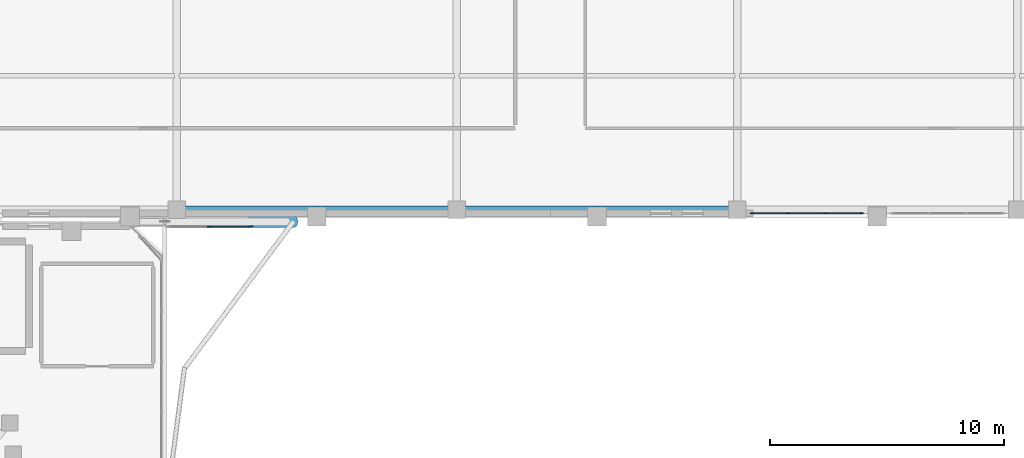
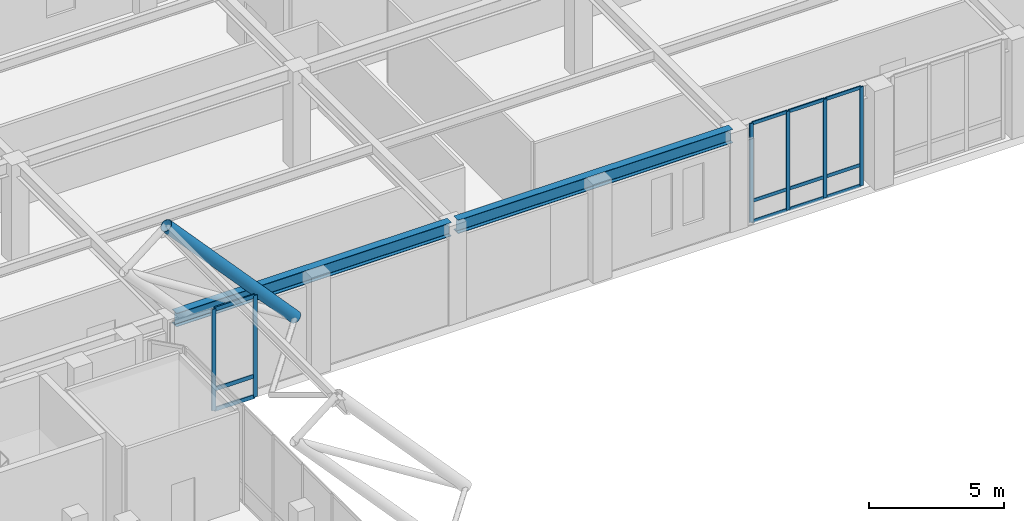
# One storey, part 33 of 79: 19 members, 2 beams, 2 elements without a shape of their own.
"""IFC4 building model written with IfcOpenShell, lengths in metres."""

from ifc_helpers import new_model, si_unit, derived_unit, direction, frame, origin, origin_2d, place, context, subcontext, project, spatial, rectangle, hollow_circle, i_section, extrude, material, layer, layer_set, material_profile, profile_set, type_object, element, aggregate, save


model = new_model("IFC4")

# Units and contexts
model_context = context("Model", 3, precision=1e-05, world=origin(), true_north=direction((0.0, 1.0)))
body_context = subcontext(model_context, "Body", "Model", "MODEL_VIEW")
ifc_project = project(units=[si_unit("LENGTHUNIT", "METRE"), si_unit("AREAUNIT", "SQUARE_METRE"), si_unit("VOLUMEUNIT", "CUBIC_METRE"), si_unit("PLANEANGLEUNIT", "RADIAN"), si_unit("MASSUNIT", "GRAM", prefix="KILO"), derived_unit("THERMALTRANSMITTANCEUNIT", [(si_unit("MASSUNIT", "GRAM", prefix="KILO"), 1), (si_unit("TIMEUNIT", "SECOND"), -3), (si_unit("THERMODYNAMICTEMPERATUREUNIT", "KELVIN"), -1)])], contexts=[model_context])

# Site, building, storey
site_placement = place(None, origin())
site = spatial("IfcSite", under=ifc_project, at=site_placement, CompositionType="ELEMENT")
building_placement = place(site_placement, origin())
building = spatial("IfcBuilding", under=site, at=building_placement, Name="Valcora Ridge Arena", CompositionType="ELEMENT")
storey_placement = place(building_placement, frame((0.0, 0.0, 16.199951171875)))
storey = spatial("IfcBuildingStorey", under=building, at=storey_placement, Name="L03", CompositionType="ELEMENT", Elevation=16.199951171875)

# Beams
ifc_material_1 = material(Name="Steel ASTM A572 Grade 50", Category="steel")
ifc_material_profile_1 = material_profile(ifc_material_1, i_section(OverallWidth=0.324951171875, OverallDepth=0.612060546875, WebThickness=0.0126953125, FlangeThickness=0.01904296875, FilletRadius=0.01806640625, at=origin_2d()), Name="W24X104")
ifc_profile_set_1 = profile_set([ifc_material_profile_1], Name="Steel ASTM A572 Grade 50")
beam_type = type_object("IfcBeamType", Name="TY-BEAM-G-W24X104-X", PredefinedType="BEAM", material=ifc_profile_set_1)
for number, where, z_axis, x_axis, name in (
    (1, (96.139892578125, 108.699951171875, 4.154052734375), (1.0, 0.0, 0.0), (0.0, 1.0, 0.0), "G-W24X104-X BEM-G-W24X104-X-0103"),
    (2, (108.139892578125, 108.699951171875, 4.154052734375), (1.0, 0.0, 0.0), (0.0, 1.0, 0.0), "G-W24X104-X BEM-G-W24X104-X-0104"),
):
    element("IfcBeam", number, at=place(storey_placement, frame(where, z_axis=z_axis, x_axis=x_axis)), inside=storey, type_object=beam_type, Name=name, PredefinedType="BEAM", context=body_context, shape_type="SweptSolid", body=[
        extrude(i_section(OverallWidth=0.324951171875, OverallDepth=0.612060546875, WebThickness=0.0126953125, FlangeThickness=0.01904296875, FilletRadius=0.01806640625, at=origin_2d()), origin(), (0.0, 0.0, 1.0), 11.72021484375),
    ])

# Curtain wall, members
ifc_material_2 = material(Name="Anodised dark bronze architectural aluminium 6063-T6", Category="aluminium")
ifc_layer_1 = layer(ifc_material_2, 0.14990234375, Name="Anodised dark bronze architectural aluminium 6063-T6")
ifc_layer_set_1 = layer_set([ifc_layer_1], Name="Anodised dark bronze architectural aluminium 6063-T6")
curtain_wall_type_1 = type_object("IfcCurtainWallType", Name="TY-CURTAINWALL-CW-V5-MED-047X45", PredefinedType="NOTDEFINED", material=ifc_layer_set_1)
curtain_wall_1_placement = place(storey_placement, origin())
curtain_wall_1 = element("IfcCurtainWall", 3, at=curtain_wall_1_placement, inside=storey, type_object=curtain_wall_type_1, Name="CW-V5-MED-047X45 CW-0336", PredefinedType="NOTDEFINED")
ifc_material_profile_2 = material_profile(ifc_material_2, rectangle(XDim=0.050048828125, YDim=0.14990234375, at=origin_2d()), Name="ALU MULLION 50x150")
ifc_profile_set_2 = profile_set([ifc_material_profile_2], Name="Anodised dark bronze architectural aluminium 6063-T6")
member_type_1 = type_object("IfcMemberType", Name="TY-MEM-CWM-50x150", PredefinedType="MULLION", material=ifc_profile_set_2)
member_1_placement = place(storey_placement, frame((120.639892578125, 108.550048828125, 0.0), z_axis=(0.0, 0.0, 1.0), x_axis=(0.0, 1.0, 0.0)))
member_1 = element("IfcMember", 4, at=member_1_placement, type_object=member_type_1, Name="CW-0336/CWM-50x150/M00", PredefinedType="MULLION", context=body_context, shape_type="SweptSolid", body=[
    extrude(rectangle(XDim=0.050048828125, YDim=0.14990234375, at=origin_2d()), origin(), (0.0, 0.0, 1.0), 4.4599609375),
])
member_2_placement = place(storey_placement, frame((122.19677734375, 108.550048828125, 0.0), z_axis=(0.0, 0.0, 1.0), x_axis=(0.0, 1.0, 0.0)))
member_2 = element("IfcMember", 5, at=member_2_placement, type_object=member_type_1, Name="CW-0336/CWM-50x150/M01", PredefinedType="MULLION", context=body_context, shape_type="SweptSolid", body=[
    extrude(rectangle(XDim=0.050048828125, YDim=0.14990234375, at=origin_2d()), origin(), (0.0, 0.0, 1.0), 4.4599609375),
])
member_3_placement = place(storey_placement, frame((123.7783203125, 108.550048828125, 0.0), z_axis=(0.0, 0.0, 1.0), x_axis=(0.0, 1.0, 0.0)))
member_3 = element("IfcMember", 6, at=member_3_placement, type_object=member_type_1, Name="CW-0336/CWM-50x150/M02", PredefinedType="MULLION", context=body_context, shape_type="SweptSolid", body=[
    extrude(rectangle(XDim=0.050048828125, YDim=0.14990234375, at=origin_2d()), origin(), (0.0, 0.0, 1.0), 4.4599609375),
])
member_4_placement = place(storey_placement, frame((125.3349609375, 108.550048828125, 0.0), z_axis=(0.0, 0.0, 1.0), x_axis=(0.0, 1.0, 0.0)))
member_4 = element("IfcMember", 7, at=member_4_placement, type_object=member_type_1, Name="CW-0336/CWM-50x150/M03", PredefinedType="MULLION", context=body_context, shape_type="SweptSolid", body=[
    extrude(rectangle(XDim=0.050048828125, YDim=0.14990234375, at=origin_2d()), origin(), (0.0, 0.0, 1.0), 4.4599609375),
])

ifc_layer_2 = layer(ifc_material_2, 0.179931640625, Name="Anodised dark bronze architectural aluminium 6063-T6")
ifc_layer_set_2 = layer_set([ifc_layer_2], Name="Anodised dark bronze architectural aluminium 6063-T6")
curtain_wall_type_2 = type_object("IfcCurtainWallType", Name="TY-CURTAINWALL-CW-V1-TYMPN-036X46", PredefinedType="NOTDEFINED", material=ifc_layer_set_2)
curtain_wall_2_placement = place(storey_placement, origin())
curtain_wall_2 = element("IfcCurtainWall", 8, at=curtain_wall_2_placement, inside=storey, type_object=curtain_wall_type_2, Name="CW-V1-TYMPN-036X46 CW-0183", PredefinedType="NOTDEFINED")
ifc_material_profile_3 = material_profile(ifc_material_2, rectangle(XDim=0.06005859375, YDim=0.179931640625, at=origin_2d()), Name="ALU MULLION 60x180")
ifc_profile_set_3 = profile_set([ifc_material_profile_3], Name="Anodised dark bronze architectural aluminium 6063-T6")
member_type_2 = type_object("IfcMemberType", Name="TY-MEM-CWM-60x180", PredefinedType="MULLION", material=ifc_profile_set_3)
member_5_placement = place(storey_placement, frame((97.39990234375, 107.97998046875, 0.0), z_axis=(0.0, 0.0, 1.0), x_axis=(0.0, 1.0, 0.0)))
member_5 = element("IfcMember", 9, at=member_5_placement, type_object=member_type_2, Name="CW-0183/CWM-60x180/M01", PredefinedType="MULLION", context=body_context, shape_type="SweptSolid", body=[
    extrude(rectangle(XDim=0.06005859375, YDim=0.179931640625, at=origin_2d()), origin(), (0.0, 0.0, 1.0), 4.579345703125),
])
member_6_placement = place(storey_placement, frame((99.169921875, 107.97998046875, 0.0), z_axis=(0.0, 0.0, 1.0), x_axis=(0.0, 1.0, 0.0)))
member_6 = element("IfcMember", 10, at=member_6_placement, type_object=member_type_2, Name="CW-0183/CWM-60x180/M02", PredefinedType="MULLION", context=body_context, shape_type="SweptSolid", body=[
    extrude(rectangle(XDim=0.06005859375, YDim=0.179931640625, at=origin_2d()), origin(), (0.0, 0.0, 1.0), 4.579345703125),
])

# Member
ifc_material_profile_4 = material_profile(ifc_material_2, rectangle(XDim=0.050048828125, YDim=0.14990234375, at=origin_2d()), Name="ALU TRANSOM 50x150")
ifc_profile_set_4 = profile_set([ifc_material_profile_4], Name="Anodised dark bronze architectural aluminium 6063-T6")
member_type_3 = type_object("IfcMemberType", Name="TY-MEM-CWT-50x150", PredefinedType="USERDEFINED", material=ifc_profile_set_4)
member_7_placement = place(storey_placement, frame((120.6650390625, 108.550048828125, 0.025146484375), z_axis=(1.0, 0.0, 0.0), x_axis=(0.0, 1.0, 0.0)))
member_7 = element("IfcMember", 11, at=member_7_placement, type_object=member_type_3, Name="CW-0336/CWT-50x150/T00-00", ObjectType="TRANSOM", PredefinedType="USERDEFINED", context=body_context, shape_type="SweptSolid", body=[
    extrude(rectangle(XDim=0.050048828125, YDim=0.14990234375, at=origin_2d()), origin(), (0.0, 0.0, 1.0), 1.507080078125),
])

member_8_placement = place(storey_placement, frame((120.6650390625, 108.550048828125, 0.949951171875), z_axis=(1.0, 0.0, 0.0), x_axis=(0.0, 1.0, 0.0)))
member_8 = element("IfcMember", 12, at=member_8_placement, type_object=member_type_3, Name="CW-0336/CWT-50x150/T00-01", ObjectType="TRANSOM", PredefinedType="USERDEFINED", context=body_context, shape_type="SweptSolid", body=[
    extrude(rectangle(XDim=0.050048828125, YDim=0.14990234375, at=origin_2d()), origin(), (0.0, 0.0, 1.0), 1.507080078125),
])

member_9_placement = place(storey_placement, frame((120.6650390625, 108.550048828125, 4.43505859375), z_axis=(1.0, 0.0, 0.0), x_axis=(0.0, 1.0, 0.0)))
member_9 = element("IfcMember", 13, at=member_9_placement, type_object=member_type_3, Name="CW-0336/CWT-50x150/T00-02", ObjectType="TRANSOM", PredefinedType="USERDEFINED", context=body_context, shape_type="SweptSolid", body=[
    extrude(rectangle(XDim=0.050048828125, YDim=0.14990234375, at=origin_2d()), origin(), (0.0, 0.0, 1.0), 1.507080078125),
])

member_10_placement = place(storey_placement, frame((122.221923828125, 108.550048828125, 0.025146484375), z_axis=(1.0, 0.0, 0.0), x_axis=(0.0, 1.0, 0.0)))
member_10 = element("IfcMember", 14, at=member_10_placement, type_object=member_type_3, Name="CW-0336/CWT-50x150/T01-00", ObjectType="TRANSOM", PredefinedType="USERDEFINED", context=body_context, shape_type="SweptSolid", body=[
    extrude(rectangle(XDim=0.050048828125, YDim=0.14990234375, at=origin_2d()), origin(), (0.0, 0.0, 1.0), 1.531005859375),
])

member_11_placement = place(storey_placement, frame((122.221923828125, 108.550048828125, 0.949951171875), z_axis=(1.0, 0.0, 0.0), x_axis=(0.0, 1.0, 0.0)))
member_11 = element("IfcMember", 15, at=member_11_placement, type_object=member_type_3, Name="CW-0336/CWT-50x150/T01-01", ObjectType="TRANSOM", PredefinedType="USERDEFINED", context=body_context, shape_type="SweptSolid", body=[
    extrude(rectangle(XDim=0.050048828125, YDim=0.14990234375, at=origin_2d()), origin(), (0.0, 0.0, 1.0), 1.531005859375),
])

member_12_placement = place(storey_placement, frame((122.221923828125, 108.550048828125, 4.43505859375), z_axis=(1.0, 0.0, 0.0), x_axis=(0.0, 1.0, 0.0)))
member_12 = element("IfcMember", 16, at=member_12_placement, type_object=member_type_3, Name="CW-0336/CWT-50x150/T01-02", ObjectType="TRANSOM", PredefinedType="USERDEFINED", context=body_context, shape_type="SweptSolid", body=[
    extrude(rectangle(XDim=0.050048828125, YDim=0.14990234375, at=origin_2d()), origin(), (0.0, 0.0, 1.0), 1.531005859375),
])

member_13_placement = place(storey_placement, frame((123.802978515625, 108.550048828125, 0.025146484375), z_axis=(1.0, 0.0, 0.0), x_axis=(0.0, 1.0, 0.0)))
member_13 = element("IfcMember", 17, at=member_13_placement, type_object=member_type_3, Name="CW-0336/CWT-50x150/T02-00", ObjectType="TRANSOM", PredefinedType="USERDEFINED", context=body_context, shape_type="SweptSolid", body=[
    extrude(rectangle(XDim=0.050048828125, YDim=0.14990234375, at=origin_2d()), origin(), (0.0, 0.0, 1.0), 1.507080078125),
])

member_14_placement = place(storey_placement, frame((123.802978515625, 108.550048828125, 0.949951171875), z_axis=(1.0, 0.0, 0.0), x_axis=(0.0, 1.0, 0.0)))
member_14 = element("IfcMember", 18, at=member_14_placement, type_object=member_type_3, Name="CW-0336/CWT-50x150/T02-01", ObjectType="TRANSOM", PredefinedType="USERDEFINED", context=body_context, shape_type="SweptSolid", body=[
    extrude(rectangle(XDim=0.050048828125, YDim=0.14990234375, at=origin_2d()), origin(), (0.0, 0.0, 1.0), 1.507080078125),
])

member_15_placement = place(storey_placement, frame((123.802978515625, 108.550048828125, 4.43505859375), z_axis=(1.0, 0.0, 0.0), x_axis=(0.0, 1.0, 0.0)))
member_15 = element("IfcMember", 19, at=member_15_placement, type_object=member_type_3, Name="CW-0336/CWT-50x150/T02-02", ObjectType="TRANSOM", PredefinedType="USERDEFINED", context=body_context, shape_type="SweptSolid", body=[
    extrude(rectangle(XDim=0.050048828125, YDim=0.14990234375, at=origin_2d()), origin(), (0.0, 0.0, 1.0), 1.507080078125),
])

aggregate(curtain_wall_1, [member_1, member_2, member_3, member_4, member_7, member_8, member_9, member_10, member_11, member_12, member_13, member_14, member_15])

ifc_material_profile_5 = material_profile(ifc_material_2, rectangle(XDim=0.06005859375, YDim=0.179931640625, at=origin_2d()), Name="ALU TRANSOM 60x180")
ifc_profile_set_5 = profile_set([ifc_material_profile_5], Name="Anodised dark bronze architectural aluminium 6063-T6")
member_type_4 = type_object("IfcMemberType", Name="TY-MEM-CWT-60x180", PredefinedType="USERDEFINED", material=ifc_profile_set_5)
member_16_placement = place(storey_placement, frame((97.429931640625, 107.97998046875, 0.030029296875), z_axis=(1.0, 0.0, 0.0), x_axis=(0.0, 1.0, 0.0)))
member_16 = element("IfcMember", 20, at=member_16_placement, type_object=member_type_4, Name="CW-0183/CWT-60x180/T01-00", ObjectType="TRANSOM", PredefinedType="USERDEFINED", context=body_context, shape_type="SweptSolid", body=[
    extrude(rectangle(XDim=0.06005859375, YDim=0.179931640625, at=origin_2d()), origin(), (0.0, 0.0, 1.0), 1.7099609375),
])

member_17_placement = place(storey_placement, frame((97.429931640625, 107.97998046875, 0.949951171875), z_axis=(1.0, 0.0, 0.0), x_axis=(0.0, 1.0, 0.0)))
member_17 = element("IfcMember", 21, at=member_17_placement, type_object=member_type_4, Name="CW-0183/CWT-60x180/T01-01", ObjectType="TRANSOM", PredefinedType="USERDEFINED", context=body_context, shape_type="SweptSolid", body=[
    extrude(rectangle(XDim=0.06005859375, YDim=0.179931640625, at=origin_2d()), origin(), (0.0, 0.0, 1.0), 1.7099609375),
])

member_18_placement = place(storey_placement, frame((97.429931640625, 107.97998046875, 4.549560546875), z_axis=(1.0, 0.0, 0.0), x_axis=(0.0, 1.0, 0.0)))
member_18 = element("IfcMember", 22, at=member_18_placement, type_object=member_type_4, Name="CW-0183/CWT-60x180/T01-02", ObjectType="TRANSOM", PredefinedType="USERDEFINED", context=body_context, shape_type="SweptSolid", body=[
    extrude(rectangle(XDim=0.06005859375, YDim=0.179931640625, at=origin_2d()), origin(), (0.0, 0.0, 1.0), 1.7099609375),
])

aggregate(curtain_wall_2, [member_5, member_6, member_16, member_17, member_18])

ifc_material_3 = material(Name="Steel ASTM A500 Grade C", Category="steel")
ifc_material_profile_6 = material_profile(ifc_material_3, hollow_circle(Radius=0.25390625, WallThickness=0.01611328125, at=origin_2d()), Name="CHS508X16")
ifc_profile_set_6 = profile_set([ifc_material_profile_6], Name="Steel ASTM A500 Grade C")
member_type_5 = type_object("IfcMemberType", Name="TY-MEMBER-SFTC-508", PredefinedType="CHORD", material=ifc_profile_set_6)
member_19_placement = place(storey_placement, frame((95.5, 108.199951171875, 8.854248046875), z_axis=(0.672640098199, 0.0, -0.739969795529), x_axis=(0.0, 1.0, 0.0)))
element("IfcMember", 23, at=member_19_placement, inside=storey, type_object=member_type_5, Name="SFTC-508 Space Frame Top Chord", PredefinedType="CHORD", context=body_context, shape_type="SweptSolid", body=[
    extrude(hollow_circle(Radius=0.25390625, WallThickness=0.01611328125, at=origin_2d()), origin(), (0.0, 0.0, 1.0), 8.1767578125),
])

save(model, "model.ifc")
